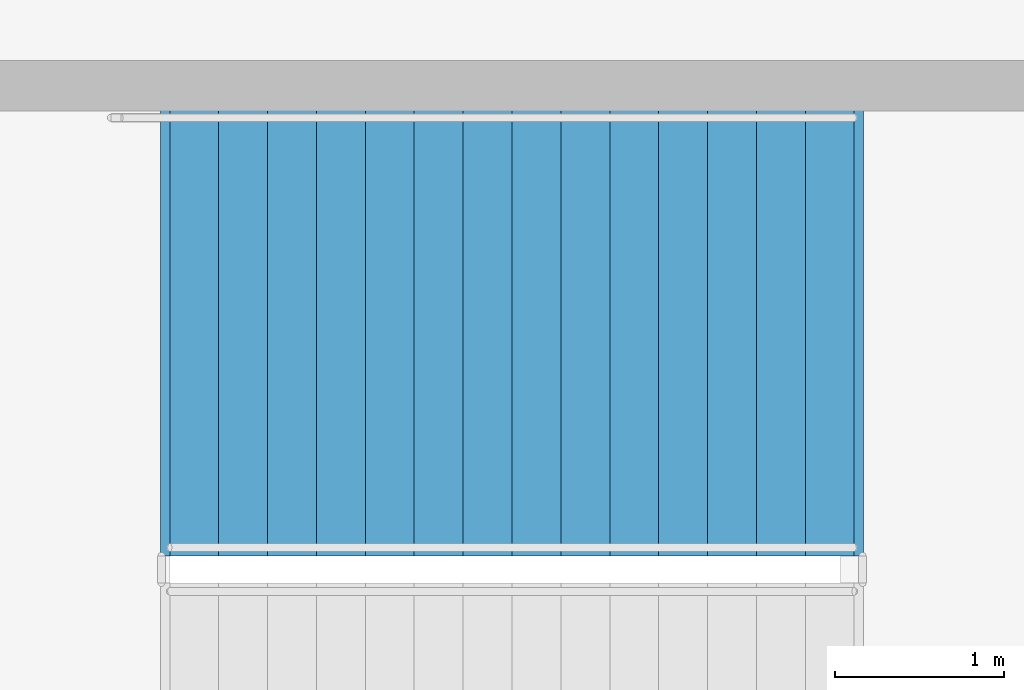
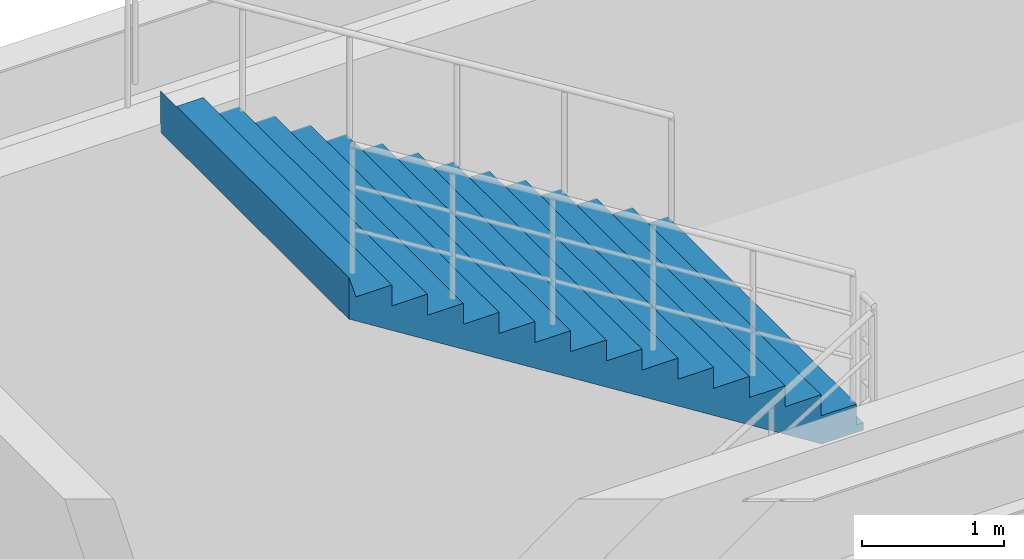
# One storey, part 81 of 93: 1 stair flight, 1 element without a shape of its own.
"""IFC4 building model written with IfcOpenShell, lengths in metres."""

from ifc_helpers import new_model, si_unit, direction, frame, origin, place, context, subcontext, project, spatial, polyline, outline, extrude, material, type_object, element, aggregate, save


model = new_model("IFC4")

# Units and contexts
model_context = context("Model", 3, precision=1e-05, world=origin(), true_north=direction((0.0, 1.0)))
body_context = subcontext(model_context, "Body", "Model", "MODEL_VIEW")
ifc_project = project(units=[si_unit("LENGTHUNIT", "METRE"), si_unit("AREAUNIT", "SQUARE_METRE"), si_unit("VOLUMEUNIT", "CUBIC_METRE"), si_unit("PLANEANGLEUNIT", "RADIAN"), si_unit("MASSUNIT", "GRAM", prefix="KILO")], contexts=[model_context])

# Site, building, storey
site_placement = place(None, origin())
site = spatial("IfcSite", under=ifc_project, at=site_placement, CompositionType="ELEMENT")
building_placement = place(site_placement, origin())
building = spatial("IfcBuilding", under=site, at=building_placement, Name="Cinderbank Siding Concert Hall", CompositionType="ELEMENT")
storey_placement = place(building_placement, origin())
storey = spatial("IfcBuildingStorey", under=building, at=storey_placement, Name="L01", CompositionType="ELEMENT", Elevation=0.0)

# Stair, stair flight
ifc_material = material(Name="Reinforced concrete AS 3600 N50 (50 MPa)", Category="concrete")
stair_type = type_object("IfcStairType", Name="STR-A Dogleg Exit Stair 2650mm", PredefinedType="HALF_TURN_STAIR", material=ifc_material)
stair_placement = place(storey_placement, origin())
stair = element("IfcStair", 1, at=stair_placement, inside=storey, type_object=stair_type, Name="L01 Orchestral Pavilion Exit Stair ST-07", PredefinedType="HALF_TURN_STAIR")
stair_flight_type = type_object("IfcStairFlightType", Name="SFL-A Concrete Stair Flight 2650mm", PredefinedType="STRAIGHT", material=ifc_material)
stair_flight_placement = place(storey_placement, frame((159.2099609375, 115.3349609375, 2.699951171875), z_axis=(0.0, 0.0, 1.0), x_axis=(-1.0, 0.0, 0.0)))
stair_flight = element("IfcStairFlight", 2, at=stair_flight_placement, type_object=stair_flight_type, Name="ST-07 flight 2", NumberOfRisers=15, NumberOfTreads=14, PredefinedType="STRAIGHT", RiserHeight=0.18, TreadLength=0.29, context=body_context, shape_type="SweptSolid", body=[
    extrude(outline(polyline([(0.0, 0.0), (0.0, 0.179931640625), (0.2900390625, 0.179931640625), (0.2900390625, 0.360107421875), (0.580078125, 0.360107421875), (0.580078125, 0.5400390625), (0.8701171875, 0.5400390625), (0.8701171875, 0.719970703125), (1.159912109375, 0.719970703125), (1.159912109375, 0.89990234375), (1.449951171875, 0.89990234375), (1.449951171875, 1.080078125), (1.739990234375, 1.080078125), (1.739990234375, 1.260009765625), (2.030029296875, 1.260009765625), (2.030029296875, 1.43994140625), (2.320068359375, 1.43994140625), (2.320068359375, 1.6201171875), (2.610107421875, 1.6201171875), (2.610107421875, 1.800048828125), (2.89990234375, 1.800048828125), (2.89990234375, 1.97998046875), (3.18994140625, 1.97998046875), (3.18994140625, 2.159912109375), (3.47998046875, 2.159912109375), (3.47998046875, 2.340087890625), (3.77001953125, 2.340087890625), (3.77001953125, 2.52001953125), (4.06005859375, 2.52001953125), (4.114990234375, 2.699951171875), (4.114990234375, 2.343505859375), (4.11474609375, 2.34375), (4.11474609375, 2.343994140625), (4.11474609375, 2.34423828125), (4.11474609375, 2.344482421875), (4.11474609375, 2.3447265625), (4.11474609375, 2.344970703125), (4.11474609375, 2.34521484375), (4.11474609375, 2.345458984375), (4.11474609375, 2.345703125), (4.11474609375, 2.345947265625), (4.11474609375, 2.34619140625), (4.11474609375, 2.346435546875), (4.114501953125, 2.346435546875), (4.114501953125, 2.34619140625), (4.114501953125, 2.345947265625), (4.114501953125, 2.345703125), (4.114501953125, 2.345458984375), (4.114501953125, 2.34521484375), (4.114501953125, 2.344970703125), (4.114501953125, 2.3447265625), (4.114501953125, 2.344482421875), (4.114501953125, 2.34423828125), (4.114501953125, 2.343994140625), (4.114501953125, 2.34375), (4.114501953125, 2.343505859375), (4.1142578125, 2.34375), (4.1142578125, 2.343994140625), (4.1142578125, 2.34423828125), (4.1142578125, 2.344482421875), (4.1142578125, 2.3447265625), (4.1142578125, 2.344970703125), (4.1142578125, 2.34521484375), (4.1142578125, 2.345458984375), (4.1142578125, 2.345703125), (4.1142578125, 2.345947265625), (4.1142578125, 2.34619140625), (4.1142578125, 2.346435546875), (4.114013671875, 2.346435546875), (4.114013671875, 2.34619140625), (4.114013671875, 2.345947265625), (4.114013671875, 2.345703125), (4.114013671875, 2.345458984375), (4.114013671875, 2.34521484375), (4.114013671875, 2.344970703125), (4.114013671875, 2.3447265625), (4.114013671875, 2.344482421875), (4.114013671875, 2.34423828125), (4.114013671875, 2.343994140625), (4.114013671875, 2.34375), (4.114013671875, 2.343505859375), (4.11376953125, 2.34375), (4.11376953125, 2.343994140625), (4.11376953125, 2.34423828125), (4.11376953125, 2.344482421875), (4.11376953125, 2.3447265625), (4.11376953125, 2.344970703125), (4.11376953125, 2.34521484375), (4.11376953125, 2.345458984375), (4.11376953125, 2.345703125), (4.11376953125, 2.345947265625), (4.11376953125, 2.34619140625), (4.11376953125, 2.346435546875), (4.113525390625, 2.346435546875), (4.113525390625, 2.34619140625), (4.113525390625, 2.345947265625), (4.113525390625, 2.345703125), (4.113525390625, 2.345458984375), (4.113525390625, 2.34521484375), (4.113525390625, 2.344970703125), (4.113525390625, 2.3447265625), (4.113525390625, 2.344482421875), (4.113525390625, 2.34423828125), (4.113525390625, 2.343994140625), (4.113525390625, 2.34375), (4.113525390625, 2.343505859375), (4.11328125, 2.34375), (4.11328125, 2.343994140625), (4.11328125, 2.34423828125), (4.11328125, 2.344482421875), (4.11328125, 2.3447265625), (4.11328125, 2.344970703125), (4.11328125, 2.34521484375), (4.11328125, 2.345458984375), (4.11328125, 2.345703125), (4.11328125, 2.345947265625), (4.11328125, 2.34619140625), (4.11328125, 2.346435546875), (4.113037109375, 2.346435546875), (4.113037109375, 2.34619140625), (4.113037109375, 2.345947265625), (4.113037109375, 2.345703125), (4.113037109375, 2.345458984375), (4.113037109375, 2.34521484375), (4.113037109375, 2.344970703125), (4.113037109375, 2.3447265625), (4.113037109375, 2.344482421875), (4.113037109375, 2.34423828125), (4.113037109375, 2.343994140625), (4.113037109375, 2.34375), (4.113037109375, 2.343505859375), (4.11279296875, 2.34375), (4.11279296875, 2.343994140625), (4.11279296875, 2.34423828125), (4.11279296875, 2.344482421875), (4.11279296875, 2.3447265625), (4.11279296875, 2.344970703125), (4.11279296875, 2.34521484375), (4.11279296875, 2.345458984375), (4.11279296875, 2.345703125), (4.11279296875, 2.345947265625), (4.11279296875, 2.34619140625), (4.11279296875, 2.346435546875), (4.112548828125, 2.346435546875), (4.112548828125, 2.34619140625), (4.112548828125, 2.345947265625), (4.112548828125, 2.345703125), (4.112548828125, 2.345458984375), (4.112548828125, 2.34521484375), (4.112548828125, 2.344970703125), (4.112548828125, 2.3447265625), (4.112548828125, 2.344482421875), (4.112548828125, 2.34423828125), (4.112548828125, 2.343994140625), (4.112548828125, 2.34375), (4.112548828125, 2.343505859375), (4.1123046875, 2.34375), (4.1123046875, 2.343994140625), (4.1123046875, 2.34423828125), (4.1123046875, 2.344482421875), (4.1123046875, 2.3447265625), (4.1123046875, 2.344970703125), (4.1123046875, 2.34521484375), (4.1123046875, 2.345458984375), (4.1123046875, 2.345703125), (4.1123046875, 2.345947265625), (4.1123046875, 2.34619140625), (4.1123046875, 2.346435546875), (4.112060546875, 2.346435546875), (4.112060546875, 2.34619140625), (4.112060546875, 2.345947265625), (4.112060546875, 2.345703125), (4.112060546875, 2.345458984375), (4.112060546875, 2.34521484375), (4.112060546875, 2.344970703125), (4.112060546875, 2.3447265625), (4.112060546875, 2.344482421875), (4.112060546875, 2.34423828125), (4.112060546875, 2.343994140625), (4.112060546875, 2.34375), (4.112060546875, 2.343505859375), (4.11181640625, 2.34375), (4.11181640625, 2.343994140625), (4.11181640625, 2.34423828125), (4.11181640625, 2.344482421875), (4.11181640625, 2.3447265625), (4.11181640625, 2.344970703125), (4.11181640625, 2.34521484375), (4.11181640625, 2.345458984375), (4.11181640625, 2.345703125), (4.11181640625, 2.345947265625), (4.11181640625, 2.34619140625), (4.11181640625, 2.346435546875), (4.111572265625, 2.346435546875), (4.111572265625, 2.34619140625), (4.111572265625, 2.345947265625), (4.111572265625, 2.345703125), (4.111572265625, 2.345458984375), (4.111572265625, 2.34521484375), (4.111572265625, 2.344970703125), (4.111572265625, 2.3447265625), (4.111572265625, 2.344482421875), (4.111572265625, 2.34423828125), (4.111572265625, 2.343994140625), (4.111572265625, 2.34375), (4.111572265625, 2.343505859375), (4.111328125, 2.34375), (4.111328125, 2.343994140625), (4.111328125, 2.34423828125), (4.111328125, 2.344482421875), (4.111328125, 2.3447265625), (4.111328125, 2.344970703125), (4.111328125, 2.34521484375), (4.111328125, 2.345458984375), (4.111328125, 2.345703125), (4.111328125, 2.345947265625), (4.111328125, 2.34619140625), (4.111328125, 2.346435546875), (4.111083984375, 2.346435546875), (4.111083984375, 2.34619140625), (4.111083984375, 2.345947265625), (4.111083984375, 2.345703125), (4.111083984375, 2.345458984375), (4.111083984375, 2.34521484375), (4.111083984375, 2.344970703125), (4.111083984375, 2.3447265625), (4.111083984375, 2.344482421875), (4.111083984375, 2.34423828125), (4.111083984375, 2.343994140625), (4.111083984375, 2.34375), (4.111083984375, 2.343505859375), (4.11083984375, 2.34375), (4.11083984375, 2.343994140625), (4.11083984375, 2.34423828125), (4.11083984375, 2.344482421875), (4.11083984375, 2.3447265625), (4.11083984375, 2.344970703125), (4.11083984375, 2.34521484375), (4.11083984375, 2.345458984375), (4.11083984375, 2.345703125), (4.11083984375, 2.345947265625), (4.11083984375, 2.34619140625), (4.11083984375, 2.346435546875), (4.110595703125, 2.346435546875), (4.110595703125, 2.34619140625), (4.110595703125, 2.345947265625), (4.110595703125, 2.345703125), (4.110595703125, 2.345458984375), (4.110595703125, 2.34521484375), (4.110595703125, 2.344970703125), (4.110595703125, 2.3447265625), (4.110595703125, 2.344482421875), (4.110595703125, 2.34423828125), (4.110595703125, 2.343994140625), (4.110595703125, 2.34375), (4.110595703125, 2.343505859375), (4.1103515625, 2.34375), (4.1103515625, 2.343994140625), (4.1103515625, 2.34423828125), (4.1103515625, 2.344482421875), (4.1103515625, 2.3447265625), (4.1103515625, 2.344970703125), (4.1103515625, 2.34521484375), (4.1103515625, 2.345458984375), (4.1103515625, 2.345703125), (4.1103515625, 2.345947265625), (4.1103515625, 2.34619140625), (4.1103515625, 2.346435546875), (4.110107421875, 2.346435546875), (4.110107421875, 2.34619140625), (4.110107421875, 2.345947265625), (4.110107421875, 2.345703125), (4.110107421875, 2.345458984375), (4.110107421875, 2.34521484375), (4.110107421875, 2.344970703125), (4.110107421875, 2.3447265625), (4.110107421875, 2.344482421875), (4.110107421875, 2.34423828125), (4.110107421875, 2.343994140625), (4.110107421875, 2.34375), (4.110107421875, 2.343505859375), (4.10986328125, 2.34375), (4.10986328125, 2.343994140625), (4.10986328125, 2.34423828125), (4.10986328125, 2.344482421875), (4.10986328125, 2.3447265625), (4.10986328125, 2.344970703125), (4.10986328125, 2.34521484375), (4.10986328125, 2.345458984375), (4.10986328125, 2.345703125), (4.10986328125, 2.345947265625), (4.10986328125, 2.34619140625), (4.10986328125, 2.346435546875), (4.109619140625, 2.346435546875), (4.109619140625, 2.34619140625), (4.109619140625, 2.345947265625), (4.109619140625, 2.345703125), (4.109619140625, 2.345458984375), (4.109619140625, 2.34521484375), (4.109619140625, 2.344970703125), (4.109619140625, 2.3447265625), (4.109619140625, 2.344482421875), (4.109619140625, 2.34423828125), (4.109619140625, 2.343994140625), (4.109619140625, 2.34375), (4.109619140625, 2.343505859375), (4.109375, 2.34375), (4.109375, 2.343994140625), (4.109375, 2.34423828125), (4.109375, 2.344482421875), (4.109375, 2.3447265625), (4.109375, 2.344970703125), (4.109375, 2.34521484375), (4.109375, 2.345458984375), (4.109375, 2.345703125), (4.109375, 2.345947265625), (4.109375, 2.34619140625), (4.109375, 2.346435546875), (4.109130859375, 2.346435546875), (4.109130859375, 2.34619140625), (4.109130859375, 2.345947265625), (4.109130859375, 2.345703125), (4.109130859375, 2.345458984375), (4.109130859375, 2.34521484375), (4.109130859375, 2.344970703125), (4.109130859375, 2.3447265625), (4.109130859375, 2.344482421875), (4.109130859375, 2.34423828125), (4.109130859375, 2.343994140625), (4.109130859375, 2.34375), (4.109130859375, 2.343505859375), (4.10888671875, 2.34375), (4.10888671875, 2.343994140625), (4.10888671875, 2.34423828125), (4.10888671875, 2.344482421875), (4.10888671875, 2.3447265625), (4.10888671875, 2.344970703125), (4.10888671875, 2.34521484375), (4.10888671875, 2.345458984375), (4.10888671875, 2.345703125), (4.10888671875, 2.345947265625), (4.10888671875, 2.34619140625), (4.10888671875, 2.346435546875), (4.108642578125, 2.346435546875), (4.108642578125, 2.34619140625), (4.108642578125, 2.345947265625), (4.108642578125, 2.345703125), (4.108642578125, 2.345458984375), (4.108642578125, 2.34521484375), (4.108642578125, 2.344970703125), (4.108642578125, 2.3447265625), (4.108642578125, 2.344482421875), (4.108642578125, 2.34423828125), (4.108642578125, 2.343994140625), (4.108642578125, 2.34375), (4.108642578125, 2.343505859375), (0.2841796875, -0.06396484375), (-0.048583984375, -0.063720703125), (-0.048583984375, -0.0634765625), (-0.048583984375, -0.063232421875), (-0.048583984375, -0.06298828125), (-0.048583984375, -0.062744140625), (-0.048583984375, -0.0625), (-0.048583984375, -0.062255859375), (-0.048583984375, -0.06201171875), (-0.048583984375, -0.061767578125), (-0.048583984375, -0.0615234375), (-0.048583984375, -0.061279296875), (-0.048583984375, -0.06103515625), (-0.048828125, -0.06103515625), (-0.048828125, -0.061279296875), (-0.048828125, -0.0615234375), (-0.048828125, -0.061767578125), (-0.048828125, -0.06201171875), (-0.048828125, -0.062255859375), (-0.048828125, -0.0625), (-0.048828125, -0.062744140625), (-0.048828125, -0.06298828125), (-0.048828125, -0.063232421875), (-0.048828125, -0.0634765625), (-0.048828125, -0.063720703125), (-0.048828125, -0.06396484375), (-0.049072265625, -0.063720703125), (-0.049072265625, -0.0634765625), (-0.049072265625, -0.063232421875), (-0.049072265625, -0.06298828125), (-0.049072265625, -0.062744140625), (-0.049072265625, -0.0625), (-0.049072265625, -0.062255859375), (-0.049072265625, -0.06201171875), (-0.049072265625, -0.061767578125), (-0.049072265625, -0.0615234375), (-0.049072265625, -0.061279296875), (-0.049072265625, -0.06103515625), (-0.04931640625, -0.06103515625), (-0.04931640625, -0.061279296875), (-0.04931640625, -0.0615234375), (-0.04931640625, -0.061767578125), (-0.04931640625, -0.06201171875), (-0.04931640625, -0.062255859375), (-0.04931640625, -0.0625), (-0.04931640625, -0.062744140625), (-0.04931640625, -0.06298828125), (-0.04931640625, -0.063232421875), (-0.04931640625, -0.0634765625), (-0.04931640625, -0.063720703125), (-0.04931640625, -0.06396484375), (-0.049560546875, -0.063720703125), (-0.049560546875, -0.0634765625), (-0.049560546875, -0.063232421875), (-0.049560546875, -0.06298828125), (-0.049560546875, -0.062744140625), (-0.049560546875, -0.0625), (-0.049560546875, -0.062255859375), (-0.049560546875, -0.06201171875), (-0.049560546875, -0.061767578125), (-0.049560546875, -0.0615234375), (-0.049560546875, -0.061279296875), (-0.049560546875, -0.06103515625), (-0.0498046875, -0.06103515625), (-0.0498046875, -0.061279296875), (-0.0498046875, -0.0615234375), (-0.0498046875, -0.061767578125), (-0.0498046875, -0.06201171875), (-0.0498046875, -0.062255859375), (-0.0498046875, -0.0625), (-0.0498046875, -0.062744140625), (-0.0498046875, -0.06298828125), (-0.0498046875, -0.063232421875), (-0.0498046875, -0.0634765625), (-0.0498046875, -0.063720703125), (-0.0498046875, -0.06396484375), (-0.050048828125, -0.063720703125), (-0.050048828125, -0.0634765625), (-0.050048828125, -0.063232421875), (-0.050048828125, -0.06298828125), (-0.050048828125, -0.062744140625), (-0.050048828125, -0.0625), (-0.050048828125, -0.062255859375), (-0.050048828125, -0.06201171875), (-0.050048828125, -0.061767578125), (-0.050048828125, -0.0615234375), (-0.050048828125, -0.061279296875), (-0.050048828125, -0.06103515625), (-0.05029296875, -0.06103515625), (-0.05029296875, -0.061279296875), (-0.05029296875, -0.0615234375), (-0.05029296875, -0.061767578125), (-0.05029296875, -0.06201171875), (-0.05029296875, -0.062255859375), (-0.05029296875, -0.0625), (-0.05029296875, -0.062744140625), (-0.05029296875, -0.06298828125), (-0.05029296875, -0.063232421875), (-0.05029296875, -0.0634765625), (-0.05029296875, -0.063720703125), (-0.05029296875, -0.06396484375), (-0.050537109375, -0.063720703125), (-0.050537109375, -0.0634765625), (-0.050537109375, -0.063232421875), (-0.050537109375, -0.06298828125), (-0.050537109375, -0.062744140625), (-0.050537109375, -0.0625), (-0.050537109375, -0.062255859375), (-0.050537109375, -0.06201171875), (-0.050537109375, -0.061767578125), (-0.050537109375, -0.0615234375), (-0.050537109375, -0.061279296875), (-0.050537109375, -0.06103515625), (-0.05078125, -0.06103515625), (-0.05078125, -0.061279296875), (-0.05078125, -0.0615234375), (-0.05078125, -0.061767578125), (-0.05078125, -0.06201171875), (-0.05078125, -0.062255859375), (-0.05078125, -0.0625), (-0.05078125, -0.062744140625), (-0.05078125, -0.06298828125), (-0.05078125, -0.063232421875), (-0.05078125, -0.0634765625), (-0.05078125, -0.063720703125), (-0.05078125, -0.06396484375), (-0.051025390625, -0.063720703125), (-0.051025390625, -0.0634765625), (-0.051025390625, -0.063232421875), (-0.051025390625, -0.06298828125), (-0.051025390625, -0.062744140625), (-0.051025390625, -0.0625), (-0.051025390625, -0.062255859375), (-0.051025390625, -0.06201171875), (-0.051025390625, -0.061767578125), (-0.051025390625, -0.0615234375), (-0.051025390625, -0.061279296875), (-0.051025390625, -0.06103515625), (-0.05126953125, -0.06103515625), (-0.05126953125, -0.061279296875), (-0.05126953125, -0.0615234375), (-0.05126953125, -0.061767578125), (-0.05126953125, -0.06201171875), (-0.05126953125, -0.062255859375), (-0.05126953125, -0.0625), (-0.05126953125, -0.062744140625), (-0.05126953125, -0.06298828125), (-0.05126953125, -0.063232421875), (-0.05126953125, -0.0634765625), (-0.05126953125, -0.063720703125), (-0.05126953125, -0.06396484375), (-0.051513671875, -0.063720703125), (-0.051513671875, -0.0634765625), (-0.051513671875, -0.063232421875), (-0.051513671875, -0.06298828125), (-0.051513671875, -0.062744140625), (-0.051513671875, -0.0625), (-0.051513671875, -0.062255859375), (-0.051513671875, -0.06201171875), (-0.051513671875, -0.061767578125), (-0.051513671875, -0.0615234375), (-0.051513671875, -0.061279296875), (-0.051513671875, -0.06103515625), (-0.0517578125, -0.06103515625), (-0.0517578125, -0.061279296875), (-0.0517578125, -0.0615234375), (-0.0517578125, -0.061767578125), (-0.0517578125, -0.06201171875), (-0.0517578125, -0.062255859375), (-0.0517578125, -0.0625), (-0.0517578125, -0.062744140625), (-0.0517578125, -0.06298828125), (-0.0517578125, -0.063232421875), (-0.0517578125, -0.0634765625), (-0.0517578125, -0.063720703125), (-0.0517578125, -0.06396484375), (-0.052001953125, -0.063720703125), (-0.052001953125, -0.0634765625), (-0.052001953125, -0.063232421875), (-0.052001953125, -0.06298828125), (-0.052001953125, -0.062744140625), (-0.052001953125, -0.0625), (-0.052001953125, -0.062255859375), (-0.052001953125, -0.06201171875), (-0.052001953125, -0.061767578125), (-0.052001953125, -0.0615234375), (-0.052001953125, -0.061279296875), (-0.052001953125, -0.06103515625), (-0.05224609375, -0.06103515625), (-0.05224609375, -0.061279296875), (-0.05224609375, -0.0615234375), (-0.05224609375, -0.061767578125), (-0.05224609375, -0.06201171875), (-0.05224609375, -0.062255859375), (-0.05224609375, -0.0625), (-0.05224609375, -0.062744140625), (-0.05224609375, -0.06298828125), (-0.05224609375, -0.063232421875), (-0.05224609375, -0.0634765625), (-0.05224609375, -0.063720703125), (-0.05224609375, -0.06396484375), (-0.052490234375, -0.063720703125), (-0.052490234375, -0.0634765625), (-0.052490234375, -0.063232421875), (-0.052490234375, -0.06298828125), (-0.052490234375, -0.062744140625), (-0.052490234375, -0.0625), (-0.052490234375, -0.062255859375), (-0.052490234375, -0.06201171875), (-0.052490234375, -0.061767578125), (-0.052490234375, -0.0615234375), (-0.052490234375, -0.061279296875), (-0.052490234375, -0.06103515625), (-0.052734375, -0.06103515625), (-0.052734375, -0.061279296875), (-0.052734375, -0.0615234375), (-0.052734375, -0.061767578125), (-0.052734375, -0.06201171875), (-0.052734375, -0.062255859375), (-0.052734375, -0.0625), (-0.052734375, -0.062744140625), (-0.052734375, -0.06298828125), (-0.052734375, -0.063232421875), (-0.052734375, -0.0634765625), (-0.052734375, -0.063720703125), (-0.052734375, -0.06396484375), (-0.052978515625, -0.063720703125), (-0.052978515625, -0.0634765625), (-0.052978515625, -0.063232421875), (-0.052978515625, -0.06298828125), (-0.052978515625, -0.062744140625), (-0.052978515625, -0.0625), (-0.052978515625, -0.062255859375), (-0.052978515625, -0.06201171875), (-0.052978515625, -0.061767578125), (-0.052978515625, -0.0615234375), (-0.052978515625, -0.061279296875), (-0.052978515625, -0.06103515625), (-0.05322265625, -0.06103515625), (-0.05322265625, -0.061279296875), (-0.05322265625, -0.0615234375), (-0.05322265625, -0.061767578125), (-0.05322265625, -0.06201171875), (-0.05322265625, -0.062255859375), (-0.05322265625, -0.0625), (-0.05322265625, -0.062744140625), (-0.05322265625, -0.06298828125), (-0.05322265625, -0.063232421875), (-0.05322265625, -0.0634765625), (-0.05322265625, -0.063720703125), (-0.05322265625, -0.06396484375), (-0.053466796875, -0.063720703125), (-0.053466796875, -0.0634765625), (-0.053466796875, -0.063232421875), (-0.053466796875, -0.06298828125), (-0.053466796875, -0.062744140625), (-0.053466796875, -0.0625), (-0.053466796875, -0.062255859375), (-0.053466796875, -0.06201171875), (-0.053466796875, -0.061767578125), (-0.053466796875, -0.0615234375), (-0.053466796875, -0.061279296875), (-0.053466796875, -0.06103515625), (-0.0537109375, -0.06103515625), (-0.0537109375, -0.061279296875), (-0.0537109375, -0.0615234375), (-0.0537109375, -0.061767578125), (-0.0537109375, -0.06201171875), (-0.0537109375, -0.062255859375), (-0.0537109375, -0.0625), (-0.0537109375, -0.062744140625), (-0.0537109375, -0.06298828125), (-0.0537109375, -0.063232421875), (-0.0537109375, -0.0634765625), (-0.0537109375, -0.063720703125), (-0.0537109375, -0.06396484375), (-0.053955078125, -0.063720703125), (-0.053955078125, -0.0634765625), (-0.053955078125, -0.063232421875), (-0.053955078125, -0.06298828125), (-0.053955078125, -0.062744140625), (-0.053955078125, -0.0625), (-0.053955078125, -0.062255859375), (-0.053955078125, -0.06201171875), (-0.053955078125, -0.061767578125), (-0.053955078125, -0.0615234375), (-0.053955078125, -0.061279296875), (-0.053955078125, -0.06103515625), (-0.05419921875, -0.06103515625), (-0.05419921875, -0.061279296875), (-0.05419921875, -0.0615234375), (-0.05419921875, -0.061767578125), (-0.05419921875, -0.06201171875), (-0.05419921875, -0.062255859375), (-0.05419921875, -0.0625), (-0.05419921875, -0.062744140625), (-0.05419921875, -0.06298828125), (-0.05419921875, -0.063232421875), (-0.05419921875, -0.0634765625), (-0.05419921875, -0.063720703125), (-0.05419921875, -0.06396484375), (-0.054443359375, -0.063720703125), (-0.054443359375, -0.0634765625), (-0.054443359375, -0.063232421875), (-0.054443359375, -0.06298828125), (-0.054443359375, -0.062744140625), (-0.054443359375, -0.0625), (-0.054443359375, -0.062255859375), (-0.054443359375, -0.06201171875), (-0.054443359375, -0.061767578125), (-0.054443359375, -0.0615234375), (-0.054443359375, -0.061279296875), (-0.054443359375, -0.06103515625), (-0.0546875, -0.06103515625), (-0.0546875, -0.061279296875), (-0.0546875, -0.0615234375), (-0.0546875, -0.061767578125), (-0.0546875, -0.06201171875), (-0.0546875, -0.062255859375), (-0.0546875, -0.0625), (-0.0546875, -0.062744140625), (-0.0546875, -0.06298828125), (-0.0546875, -0.063232421875), (-0.0546875, -0.0634765625), (-0.0546875, -0.063720703125), (-0.0546875, -0.06396484375), (-0.054931640625, -0.06396484375), (-0.054931640625, 0.0), (0.0, 0.0)])), frame((0.0, 1.324951171875, 0.0), z_axis=(0.0, -1.0, 0.0), x_axis=(1.0, 0.0, 0.0)), (0.0, 0.0, 1.0), 2.64990234375),
])
aggregate(stair, [stair_flight])

save(model, "model.ifc")
